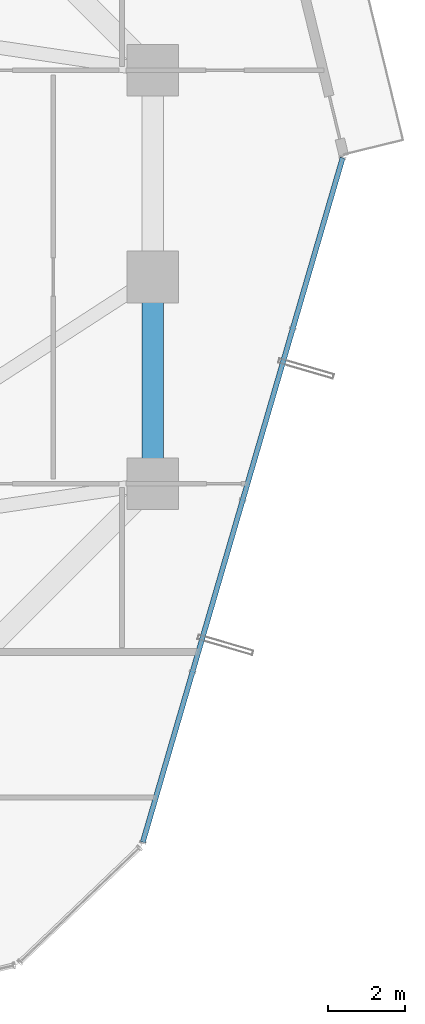
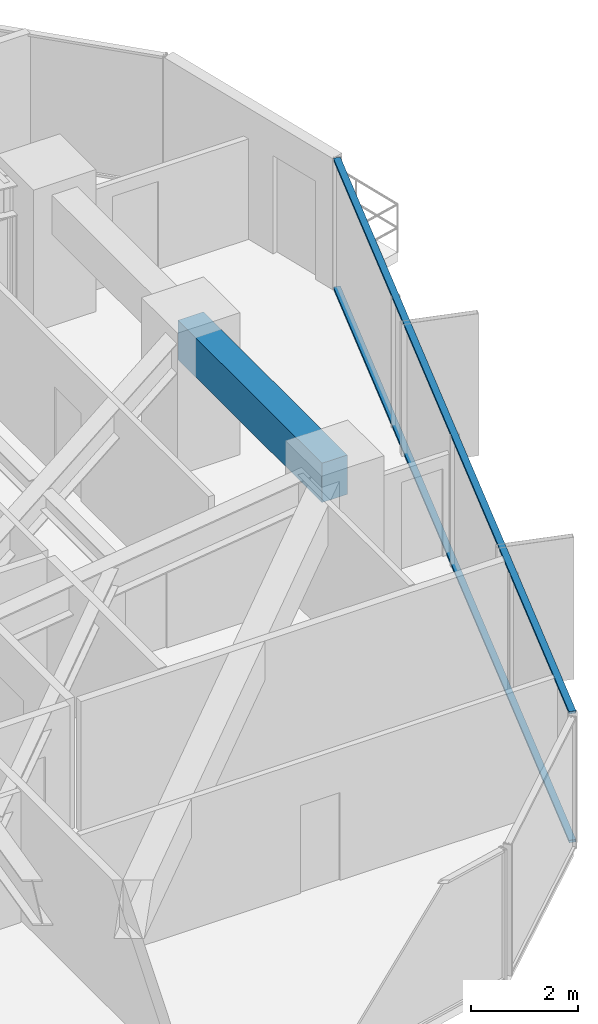
# One storey, part 16 of 37: 2 members, 1 beam, 1 element without a shape of its own.
"""IFC4 building model written with IfcOpenShell, lengths in metres."""

from ifc_helpers import new_model, si_unit, direction, frame, origin, origin_2d, place, context, subcontext, project, spatial, rectangle, hollow_rectangle, extrude, source, transform, mapped, material, layer, layer_set, material_profile, profile_set, type_object, element, aggregate, save


model = new_model("IFC4")

# Units and contexts
model_context = context("Model", 3, precision=1e-05, world=origin(), true_north=direction((0.0, 1.0)))
body_context = subcontext(model_context, "Body", "Model", "MODEL_VIEW")
ifc_project = project(units=[si_unit("LENGTHUNIT", "METRE"), si_unit("AREAUNIT", "SQUARE_METRE"), si_unit("VOLUMEUNIT", "CUBIC_METRE"), si_unit("PLANEANGLEUNIT", "RADIAN"), si_unit("MASSUNIT", "GRAM", prefix="KILO")], contexts=[model_context])

# Site, building, storey
site_placement = place(None, origin())
site = spatial("IfcSite", under=ifc_project, at=site_placement, CompositionType="ELEMENT")
building_placement = place(site_placement, origin())
building = spatial("IfcBuilding", under=site, at=building_placement, Name="Veraguas Prism Commons", CompositionType="ELEMENT")
storey_placement = place(building_placement, frame((0.0, 0.0, 70.60009765625)))
storey = spatial("IfcBuildingStorey", under=building, at=storey_placement, Name="L19", CompositionType="ELEMENT", Elevation=70.60009765625)

# Beam
ifc_material_1 = material(Name="Concrete C50/60", Category="concrete")
ifc_material_profile_1 = material_profile(ifc_material_1, rectangle(XDim=0.550048828125, YDim=0.89990234375, at=origin_2d()), Name="RC550X900")
ifc_profile_set_1 = profile_set([ifc_material_profile_1], Name="Concrete C50/60")
beam_type = type_object("IfcBeamType", Name="Perimeter Spandrel Lower RC 550x900", PredefinedType="SPANDREL", material=ifc_profile_set_1)
beam_placement = place(storey_placement, frame((41.60009765625, 18.60009765625, 2.5498046875), z_axis=(0.0, 1.0, 0.0), x_axis=(-1.0, 0.0, 0.0)))
element("IfcBeam", 1, at=beam_placement, inside=storey, type_object=beam_type, Name="Perimeter Spandrel Beam L19-SP01", PredefinedType="SPANDREL", context=body_context, shape_type="SweptSolid", body=[
    extrude(rectangle(XDim=0.550048828125, YDim=0.89990234375, at=origin_2d()), origin(), (0.0, 0.0, 1.0), 5.39990234375),
])

# Curtain wall, members
ifc_material_2 = material(Name="Anodised aluminium EN AW-6063 T6", Category="aluminium")
ifc_layer = layer(ifc_material_2, 0.169921875, Name="Unitised Flush Curtain Wall Zone 1", Category="aluminium")
ifc_layer_set = layer_set([ifc_layer], Name="Anodised aluminium EN AW-6063 T6")
curtain_wall_type = type_object("IfcCurtainWallType", Name="Unitised Flush Curtain Wall Zone 1", PredefinedType="NOTDEFINED", material=ifc_layer_set)
curtain_wall_placement = place(storey_placement, origin())
curtain_wall = element("IfcCurtainWall", 2, at=curtain_wall_placement, inside=storey, type_object=curtain_wall_type, Name="Tower Facade Curtain Wall L19-F6", PredefinedType="NOTDEFINED")
ifc_material_profile_2 = material_profile(ifc_material_2, hollow_rectangle(XDim=0.054931640625, YDim=0.135009765625, WallThickness=0.0029296875, at=origin_2d()), Name="AL55X135X3")
ifc_profile_set_2 = profile_set([ifc_material_profile_2], Name="Anodised aluminium EN AW-6063 T6")
member_type = type_object("IfcMemberType", Name="Curtain Wall Transom Standard AL 55x135x3", PredefinedType="USERDEFINED", material=ifc_profile_set_2)
shared_shape = source(origin(), body_context, "Body", "SweptSolid", [
    extrude(hollow_rectangle(XDim=0.054931640625, YDim=0.135009765625, WallThickness=0.0029296875, at=origin_2d()), origin(), (0.0, 0.0, 1.0), 18.6240234375),
])
member_1_placement = place(storey_placement, frame((41.3408203125, 9.23486328125, 0.02734375), z_axis=(0.28033473293, 0.959902306234, 0.0), x_axis=(0.0, 0.0, 1.0)))
member_1 = element("IfcMember", 3, at=member_1_placement, type_object=member_type, Name="CW-Z1 Transom 1", ObjectType="TRANSOM", PredefinedType="USERDEFINED", context=body_context, shape_type="MappedRepresentation", body=[
    mapped(shared_shape, transform((0.0, 0.0, 0.0), scale=1.0)),
])
member_2_placement = place(storey_placement, frame((41.3408203125, 9.23486328125, 2.972412109375), z_axis=(0.28033473293, 0.959902306234, 0.0), x_axis=(0.0, 0.0, 1.0)))
member_2 = element("IfcMember", 4, at=member_2_placement, type_object=member_type, Name="CW-Z1 Transom 2", ObjectType="TRANSOM", PredefinedType="USERDEFINED", context=body_context, shape_type="MappedRepresentation", body=[
    mapped(shared_shape, transform((0.0, 0.0, 0.0), scale=1.0)),
])
aggregate(curtain_wall, [member_1, member_2])

save(model, "model.ifc")
